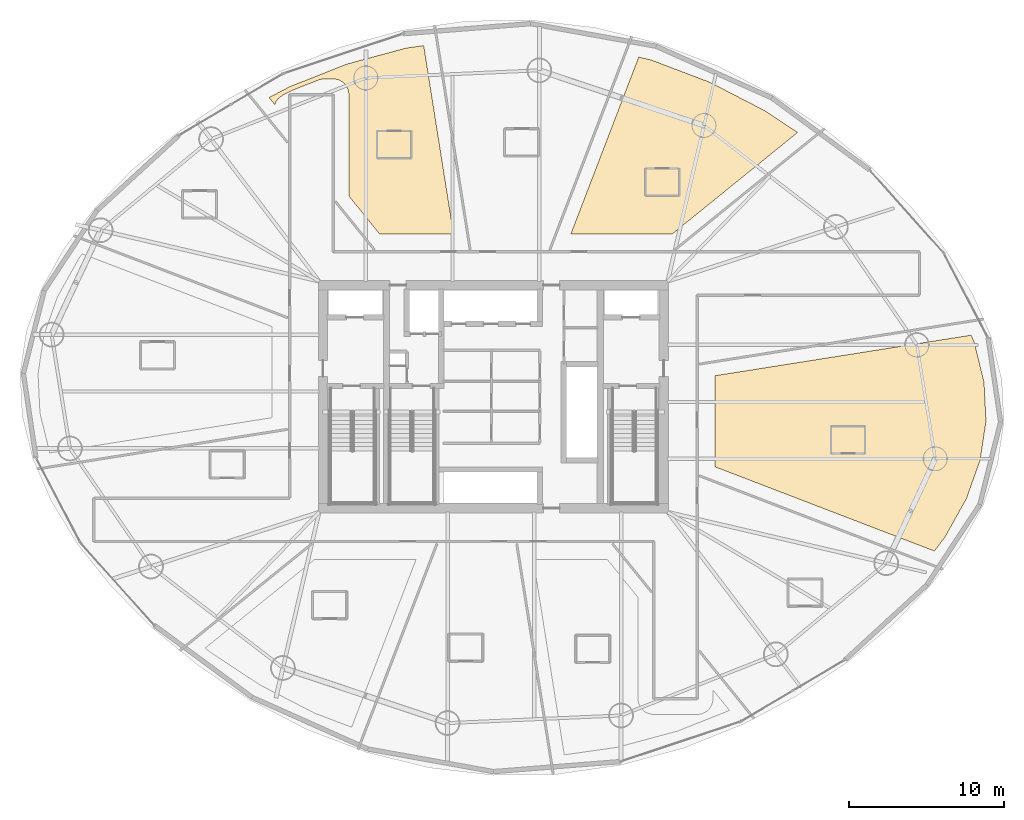
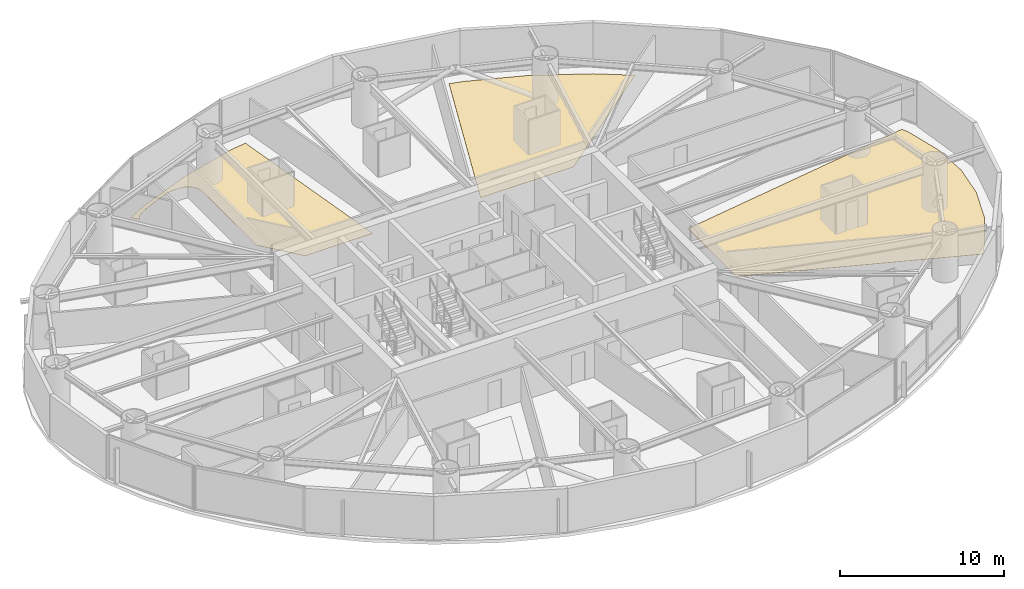
# One storey, part 25 of 25: 3 coverings.
"""IFC4 building model written with IfcOpenShell, lengths in metres."""

from ifc_helpers import new_model, si_unit, direction, frame, origin, place, context, subcontext, project, spatial, polyline, outline, extrude, material, layer, layer_set, type_object, element, save


model = new_model("IFC4")

# Units and contexts
model_context = context("Model", 3, precision=1e-05, world=origin(), true_north=direction((0.0, 1.0)))
body_context = subcontext(model_context, "Body", "Model", "MODEL_VIEW")
ifc_project = project(units=[si_unit("LENGTHUNIT", "METRE"), si_unit("AREAUNIT", "SQUARE_METRE"), si_unit("VOLUMEUNIT", "CUBIC_METRE"), si_unit("PLANEANGLEUNIT", "RADIAN"), si_unit("MASSUNIT", "GRAM", prefix="KILO")], contexts=[model_context])

# Site, building, storey
site_placement = place(None, origin())
site = spatial("IfcSite", under=ifc_project, at=site_placement, CompositionType="ELEMENT")
building_placement = place(site_placement, origin())
building = spatial("IfcBuilding", under=site, at=building_placement, Name="Bramvorn Convention Spire", CompositionType="ELEMENT")
storey_placement = place(building_placement, frame((0.0, 0.0, 48.39990234375)))
storey = spatial("IfcBuildingStorey", under=building, at=storey_placement, Name="L09", CompositionType="ELEMENT", Elevation=48.39990234375)

# Coverings
ifc_material = material(Name="Solution-Dyed Wool Broadloom Hospitality Carpet", Category="textile")
ifc_layer = layer(ifc_material, 0.014892578125)
ifc_layer_set = layer_set([ifc_layer], Name="Solution-Dyed Wool Broadloom Hospitality Carpet - FLR-CARPET-15")
covering_type = type_object("IfcCoveringType", Name="FLR-CARPET-15", PredefinedType="FLOORING", material=ifc_layer_set)
covering_1_placement = place(storey_placement, origin())
element("IfcCovering", 1, at=covering_1_placement, inside=storey, type_object=covering_type, Name="Hotel Suite 0902 wool broadloom carpet", PredefinedType="FLOORING", context=body_context, shape_type="SweptSolid", body=[
    extrude(outline(polyline([(48.230224609375, 47.718994140625), (47.381591796875, 47.92822265625), (42.99462890625, 36.5), (49.536376953125, 36.5), (57.635498046875, 43.05859375), (55.4931640625, 44.474853515625), (51.969970703125, 46.297119140625), (48.230224609375, 47.718994140625)])), origin(), (0.0, 0.0, 1.0), 0.01513671875),
])
covering_2_placement = place(storey_placement, origin())
element("IfcCovering", 2, at=covering_2_placement, inside=storey, type_object=covering_type, Name="Hotel Suite 0904 wool broadloom carpet", PredefinedType="FLOORING", context=body_context, shape_type="SweptSolid", body=[
    extrude(outline(polyline([(23.973876953125, 45.0673828125), (24.09326171875, 45.22900390625), (24.374755859375, 45.447998046875), (24.9931640625, 45.76708984375), (26.759521484375, 46.466552734375), (27.031494140625, 46.5185546875), (27.705810546875, 46.518310546875), (27.988037109375, 46.462158203125), (28.252685546875, 46.32275390625), (28.40966796875, 46.180419921875), (28.52783203125, 46.019287109375), (28.6123046875, 45.837890625), (28.668212890625, 45.555908203125), (28.669921875, 38.95166015625), (30.655517578125, 36.5), (35.42578125, 36.5), (33.498291015625, 48.669189453125), (32.37451171875, 48.50830078125), (28.51220703125, 47.465087890625), (24.8251953125, 46.001708984375), (23.518310546875, 45.3134765625), (23.882080078125, 44.864501953125), (23.973876953125, 45.0673828125)])), origin(), (0.0, 0.0, 1.0), 0.01513671875),
])
covering_3_placement = place(storey_placement, origin())
element("IfcCovering", 3, at=covering_3_placement, inside=storey, type_object=covering_type, Name="Hotel Suite 0912 wool broadloom carpet", PredefinedType="FLOORING", context=body_context, shape_type="SweptSolid", body=[
    extrude(outline(polyline([(67.14599609375, 16.930419921875), (68.53564453125, 19.4228515625), (69.419189453125, 21.91748046875), (69.796142578125, 24.4169921875), (69.669189453125, 26.941650390625), (69.037841796875, 29.511962890625), (68.837890625, 29.972900390625), (52.300048828125, 27.353759765625), (52.300048828125, 21.474853515625), (66.465087890625, 16.037353515625), (67.14599609375, 16.930419921875)])), origin(), (0.0, 0.0, 1.0), 0.01513671875),
])

save(model, "model.ifc")
